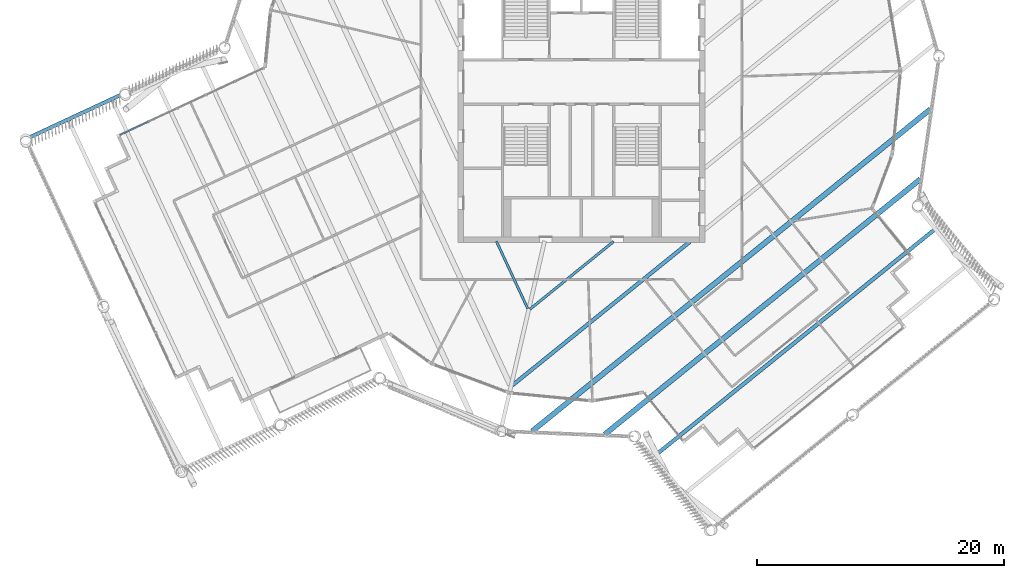
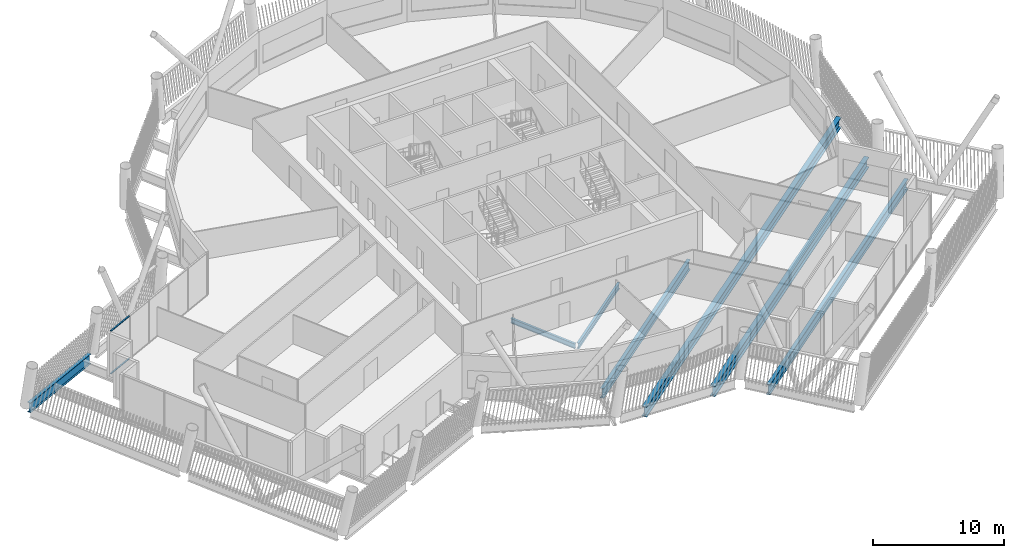
# One storey, part 11 of 36: 7 beams, 2 members, 1 element without a shape of its own.
"""IFC4 building model written with IfcOpenShell, lengths in metres."""

from ifc_helpers import new_model, si_unit, direction, frame, origin, origin_2d, place, context, subcontext, project, spatial, hollow_rectangle, i_section, extrude, material, layer, layer_set, material_profile, profile_set, type_object, element, aggregate, save


model = new_model("IFC4")

# Units and contexts
model_context = context("Model", 3, precision=1e-05, world=origin(), true_north=direction((0.0, 1.0)))
body_context = subcontext(model_context, "Body", "Model", "MODEL_VIEW")
ifc_project = project(units=[si_unit("LENGTHUNIT", "METRE"), si_unit("AREAUNIT", "SQUARE_METRE"), si_unit("VOLUMEUNIT", "CUBIC_METRE"), si_unit("PLANEANGLEUNIT", "RADIAN"), si_unit("MASSUNIT", "GRAM", prefix="KILO")], contexts=[model_context])

# Site, building, storey
site_placement = place(None, origin())
site = spatial("IfcSite", under=ifc_project, at=site_placement, CompositionType="ELEMENT")
building_placement = place(site_placement, origin())
building = spatial("IfcBuilding", under=site, at=building_placement, Name="Tarsis Ring Headquarters", CompositionType="ELEMENT")
storey_placement = place(building_placement, frame((0.0, 0.0, 386.0)))
storey = spatial("IfcBuildingStorey", under=building, at=storey_placement, Name="L91", CompositionType="ELEMENT", Elevation=386.0)

# Curtain wall, members
ifc_material_1 = material(Name="Aluminium curtain wall", Category="aluminium")
ifc_layer = layer(ifc_material_1, 0.14990234375)
ifc_layer_set = layer_set([ifc_layer], Name="Curtain wall tower unit")
curtain_wall_type = type_object("IfcCurtainWallType", Name="Curtain wall tower unit", PredefinedType="NOTDEFINED", material=ifc_layer_set)
curtain_wall_placement = place(storey_placement, origin())
curtain_wall = element("IfcCurtainWall", 1, at=curtain_wall_placement, inside=storey, type_object=curtain_wall_type, Name="Curtain wall L91-31", PredefinedType="NOTDEFINED")
ifc_material_2 = material(Name="Aluminium transom", Category="aluminium")
ifc_material_profile_1 = material_profile(ifc_material_2, hollow_rectangle(XDim=0.1298828125, YDim=0.06005859375, WallThickness=0.0048828125, at=origin_2d()), Name="RHS 130x60x5")
ifc_profile_set_1 = profile_set([ifc_material_profile_1], Name="Aluminium transom")
member_type = type_object("IfcMemberType", Name="Curtain wall transom tower unit RHS 130x60x5", PredefinedType="USERDEFINED", material=ifc_profile_set_1)
member_1_placement = place(storey_placement, frame((-35.110107421875, -3.243896484375, 0.030029296875), z_axis=(-0.906605989555, -0.42197817444, 0.0), x_axis=(0.42197817444, -0.906605989555, 0.0)))
member_1 = element("IfcMember", 2, at=member_1_placement, type_object=member_type, Name="CW-T transom 5.1", ObjectType="TRANSOM", PredefinedType="USERDEFINED", context=body_context, shape_type="SweptSolid", body=[
    extrude(hollow_rectangle(XDim=0.1298828125, YDim=0.06005859375, WallThickness=0.0048828125, at=origin_2d()), origin(), (0.0, 0.0, 1.0), 2.490234375),
])
member_2_placement = place(storey_placement, frame((-35.110107421875, -3.243896484375, 4.010009765625), z_axis=(-0.906605989555, -0.42197817444, 0.0), x_axis=(0.42197817444, -0.906605989555, 0.0)))
member_2 = element("IfcMember", 3, at=member_2_placement, type_object=member_type, Name="CW-T transom 5.2", ObjectType="TRANSOM", PredefinedType="USERDEFINED", context=body_context, shape_type="SweptSolid", body=[
    extrude(hollow_rectangle(XDim=0.1298828125, YDim=0.06005859375, WallThickness=0.0048828125, at=origin_2d()), origin(), (0.0, 0.0, 1.0), 2.490234375),
])
aggregate(curtain_wall, [member_1, member_2])

# Beams
ifc_material_3 = material(Name="Structural steel S355", Category="steel")
ifc_material_profile_2 = material_profile(ifc_material_3, i_section(OverallWidth=0.1904296875, OverallDepth=0.457275390625, WebThickness=0.009033203125, FlangeThickness=0.014404296875, at=origin_2d()), Name="W18x50")
ifc_profile_set_2 = profile_set([ifc_material_profile_2], Name="Structural steel S355")
beam_type_1 = type_object("IfcBeamType", Name="FB Floor beam W18x50", PredefinedType="JOIST", material=ifc_profile_set_2)
beam_1_placement = place(storey_placement, frame((-6.896484375, -12.909423828125, -0.388671875), z_axis=(0.421985404137, -0.90660262447, 0.0), x_axis=(0.90660262447, 0.421985404137, 0.0)))
element("IfcBeam", 4, at=beam_1_placement, inside=storey, type_object=beam_type_1, Name="Floor beam FB2", PredefinedType="JOIST", context=body_context, shape_type="SweptSolid", body=[
    extrude(i_section(OverallWidth=0.1904296875, OverallDepth=0.457275390625, WebThickness=0.009033203125, FlangeThickness=0.014404296875, at=origin_2d()), origin(), (0.0, 0.0, 1.0), 6.0302734375),
])
ifc_material_profile_3 = material_profile(ifc_material_3, i_section(OverallWidth=0.209228515625, OverallDepth=0.533447265625, WebThickness=0.01025390625, FlangeThickness=0.015625, at=origin_2d()), Name="W21x62")
ifc_profile_set_3 = profile_set([ifc_material_profile_3], Name="Structural steel S355")
beam_type_2 = type_object("IfcBeamType", Name="FB Floor beam W21x62", PredefinedType="JOIST", material=ifc_profile_set_3)
beam_2_placement = place(storey_placement, frame((-4.169921875, -18.41845703125, -0.4267578125), z_axis=(0.77757933349, 0.628784844067, 0.0), x_axis=(-0.628784844067, 0.77757933349, 0.0)))
element("IfcBeam", 5, at=beam_2_placement, inside=storey, type_object=beam_type_2, Name="Floor beam FB3", PredefinedType="JOIST", context=body_context, shape_type="SweptSolid", body=[
    extrude(i_section(OverallWidth=0.209228515625, OverallDepth=0.533447265625, WebThickness=0.01025390625, FlangeThickness=0.015625, at=origin_2d()), origin(), (0.0, 0.0, 1.0), 8.717529296875),
])
ifc_material_profile_4 = material_profile(ifc_material_3, i_section(OverallWidth=0.3046875, OverallDepth=0.904296875, WebThickness=0.01513671875, FlangeThickness=0.02001953125, at=origin_2d()), Name="W36x135")
ifc_profile_set_4 = profile_set([ifc_material_profile_4], Name="Structural steel S355")
beam_type_3 = type_object("IfcBeamType", Name="FB Floor beam W36x135", PredefinedType="JOIST", material=ifc_profile_set_4)
beam_3_placement = place(storey_placement, frame((-5.59912109375, -24.58984375, -0.612060546875), z_axis=(0.777580690597, 0.628783165814, 0.0), x_axis=(-0.628783165814, 0.777580690597, 0.0)))
element("IfcBeam", 6, at=beam_3_placement, inside=storey, type_object=beam_type_3, Name="Floor beam FB8", PredefinedType="JOIST", context=body_context, shape_type="SweptSolid", body=[
    extrude(i_section(OverallWidth=0.3046875, OverallDepth=0.904296875, WebThickness=0.01513671875, FlangeThickness=0.02001953125, at=origin_2d()), origin(), (0.0, 0.0, 1.0), 18.532470703125),
])
ifc_material_profile_5 = material_profile(ifc_material_3, i_section(OverallWidth=0.309814453125, OverallDepth=0.949951171875, WebThickness=0.0244140625, FlangeThickness=0.0439453125, at=origin_2d()), Name="W36x256")
ifc_profile_set_5 = profile_set([ifc_material_profile_5], Name="Structural steel S355")
beam_type_4 = type_object("IfcBeamType", Name="FB Floor beam W36x256", PredefinedType="JOIST", material=ifc_profile_set_5)
beam_4_placement = place(storey_placement, frame((5.697998046875, -30.5009765625, -0.635009765625), z_axis=(0.777585939864, 0.628776674286, 0.0), x_axis=(-0.628776674286, 0.777585939864, 0.0)))
element("IfcBeam", 7, at=beam_4_placement, inside=storey, type_object=beam_type_4, Name="Floor beam FB11", PredefinedType="JOIST", context=body_context, shape_type="SweptSolid", body=[
    extrude(i_section(OverallWidth=0.309814453125, OverallDepth=0.949951171875, WebThickness=0.0244140625, FlangeThickness=0.0439453125, at=origin_2d()), origin(), (0.0, 0.0, 1.0), 29.4951171875),
])
ifc_material_profile_6 = material_profile(ifc_material_3, i_section(OverallWidth=0.42431640625, OverallDepth=0.947509765625, WebThickness=0.02392578125, FlangeThickness=0.042724609375, at=origin_2d()), Name="W36x302")
ifc_profile_set_6 = profile_set([ifc_material_profile_6], Name="Structural steel S355")
beam_type_5 = type_object("IfcBeamType", Name="FB Floor beam W36x302", PredefinedType="JOIST", material=ifc_profile_set_6)
beam_5_placement = place(storey_placement, frame((-4.0068359375, -28.317626953125, -0.6337890625), z_axis=(0.777587953744, 0.628774183784, 0.0), x_axis=(-0.628774183784, 0.777587953744, 0.0)))
element("IfcBeam", 8, at=beam_5_placement, inside=storey, type_object=beam_type_5, Name="Floor beam FB12", PredefinedType="JOIST", context=body_context, shape_type="SweptSolid", body=[
    extrude(i_section(OverallWidth=0.42431640625, OverallDepth=0.947509765625, WebThickness=0.02392578125, FlangeThickness=0.042724609375, at=origin_2d()), origin(), (0.0, 0.0, 1.0), 41.53125),
])
beam_6_placement = place(storey_placement, frame((1.8955078125, -28.560546875, -0.6337890625), z_axis=(0.777582603869, 0.628780799771, 0.0), x_axis=(-0.628780799771, 0.777582603869, 0.0)))
element("IfcBeam", 9, at=beam_6_placement, inside=storey, type_object=beam_type_5, Name="Floor beam FB12", PredefinedType="JOIST", context=body_context, shape_type="SweptSolid", body=[
    extrude(i_section(OverallWidth=0.42431640625, OverallDepth=0.947509765625, WebThickness=0.02392578125, FlangeThickness=0.042724609375, at=origin_2d()), origin(), (0.0, 0.0, 1.0), 32.883056640625),
])
ifc_material_profile_7 = material_profile(ifc_material_3, i_section(OverallWidth=0.3046875, OverallDepth=0.91943359375, WebThickness=0.017333984375, FlangeThickness=0.02783203125, at=origin_2d()), Name="W36x170")
ifc_profile_set_7 = profile_set([ifc_material_profile_7], Name="Structural steel S355")
beam_type_6 = type_object("IfcBeamType", Name="XG Ring girder W36x170", PredefinedType="BEAM", material=ifc_profile_set_7)
beam_7_placement = place(storey_placement, frame((-37.350341796875, -1.060302734375, -0.459716796875), z_axis=(-0.906598804637, -0.421993610651, 0.0), x_axis=(0.421993610651, -0.906598804637, 0.0)))
element("IfcBeam", 10, at=beam_7_placement, inside=storey, type_object=beam_type_6, Name="Ring girder XG4", PredefinedType="BEAM", context=body_context, shape_type="SweptSolid", body=[
    extrude(i_section(OverallWidth=0.3046875, OverallDepth=0.91943359375, WebThickness=0.017333984375, FlangeThickness=0.02783203125, at=origin_2d()), origin(), (0.0, 0.0, 1.0), 8.079345703125),
])

save(model, "model.ifc")
